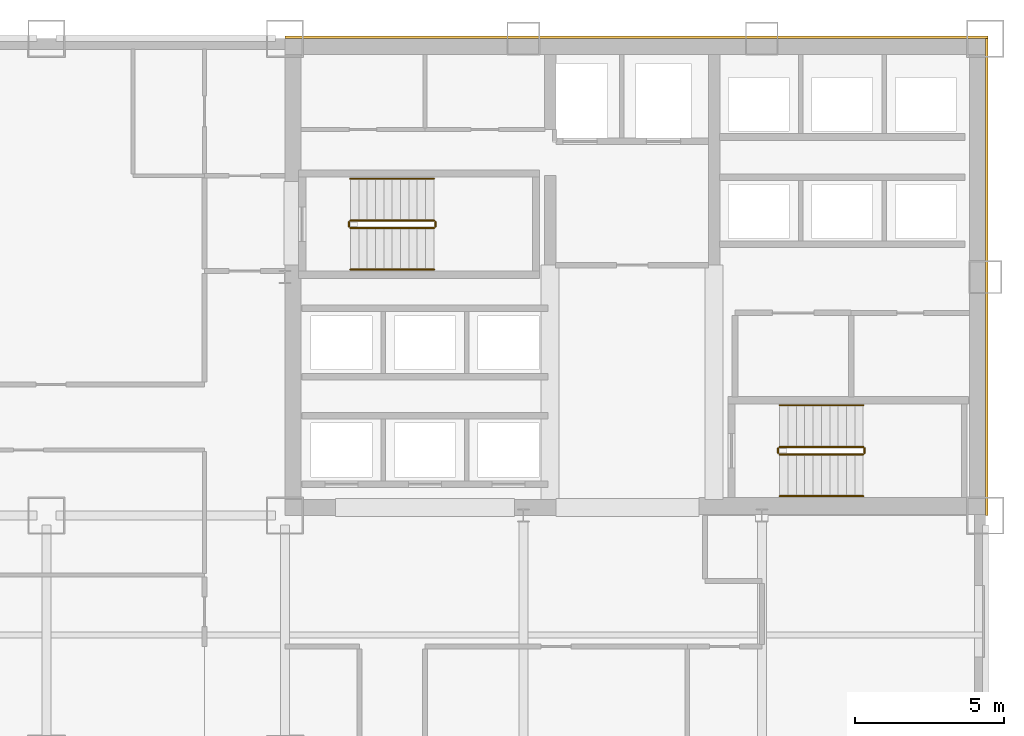
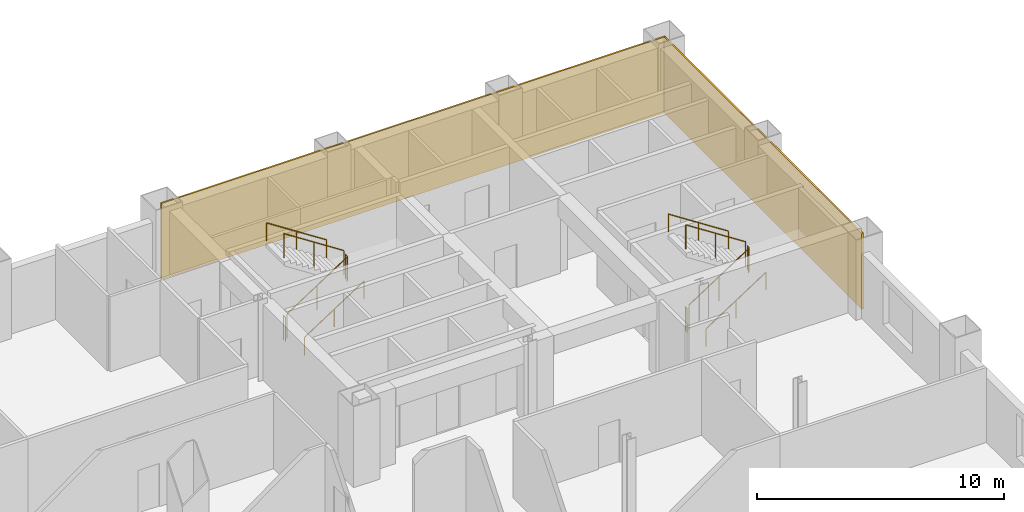
# One storey, part 9 of 9: 12 railings, 2 coverings.
"""IFC4 building model written with IfcOpenShell, lengths in metres."""

from ifc_helpers import new_model, si_unit, direction, frame, origin, origin_2d, place, context, subcontext, project, spatial, rectangle, circle, extrude, material, layer, layer_set, type_object, element, save


model = new_model("IFC4")

# Units and contexts
model_context = context("Model", 3, precision=1e-05, world=origin(), true_north=direction((0.0, 1.0)))
body_context = subcontext(model_context, "Body", "Model", "MODEL_VIEW")
ifc_project = project(units=[si_unit("LENGTHUNIT", "METRE"), si_unit("AREAUNIT", "SQUARE_METRE"), si_unit("VOLUMEUNIT", "CUBIC_METRE"), si_unit("PLANEANGLEUNIT", "RADIAN"), si_unit("MASSUNIT", "GRAM", prefix="KILO")], contexts=[model_context])

# Site, building, storey
site_placement = place(None, origin())
site = spatial("IfcSite", under=ifc_project, at=site_placement, CompositionType="ELEMENT")
building_placement = place(site_placement, origin())
building = spatial("IfcBuilding", under=site, at=building_placement, Name="Qianrong Seaharbour Tower", CompositionType="ELEMENT")
storey_placement = place(building_placement, frame((0.0, 0.0, 84.199951171875)))
storey = spatial("IfcBuildingStorey", under=building, at=storey_placement, Name="L20", CompositionType="ELEMENT", Elevation=84.199951171875)

# Coverings
ifc_material_1 = material(Name="Unitised red brick cladding on Precast concrete C45/55", Category="masonry")
ifc_layer = layer(ifc_material_1, 0.080078125)
ifc_layer_set = layer_set([ifc_layer], Name="Unitised red brick cladding on Precast concrete C45/55")
covering_type = type_object("IfcCoveringType", Name="COV-CLAD-RED-BRICK-80", PredefinedType="CLADDING", material=ifc_layer_set)
covering_1_placement = place(storey_placement, frame((52.2900390625, 52.0400390625, 0.0), z_axis=(0.0, 0.0, 1.0), x_axis=(1.0, 0.0, 0.0)))
element("IfcCovering", 1, at=covering_1_placement, inside=storey, type_object=covering_type, Name="L20 North Core Brick Veneer Cladding", PredefinedType="CLADDING", context=body_context, shape_type="SweptSolid", body=[
    extrude(rectangle(XDim=23.580078125, YDim=0.080078125, at=origin_2d()), origin(), (0.0, 0.0, 1.0), 3.75),
])
covering_2_placement = place(storey_placement, frame((64.0400390625, 44.0, 0.0), z_axis=(0.0, 0.0, 1.0), x_axis=(1.0, 0.0, 0.0)))
element("IfcCovering", 2, at=covering_2_placement, inside=storey, type_object=covering_type, Name="L20 East Core Brick Veneer Cladding", PredefinedType="CLADDING", context=body_context, shape_type="SweptSolid", body=[
    extrude(rectangle(XDim=0.080078125, YDim=16.0, at=origin_2d()), origin(), (0.0, 0.0, 1.0), 3.75),
])

# Railings
ifc_material_2 = material(Name="Galvanized painted steel SN400B stair guard", Category="steel")
railing_type_1 = type_object("IfcRailingType", Name="RAIL-STAIR-GUARD-1220", PredefinedType="GUARDRAIL", material=ifc_material_2)
railing_1_placement = place(storey_placement, frame((42.699951171875, 45.64990234375, 0.181884765625)))
element("IfcRailing", 3, at=railing_1_placement, inside=storey, type_object=railing_type_1, Name="L20 ST-1 stair guard 1", PredefinedType="GUARDRAIL", context=body_context, shape_type="SweptSolid", body=[
    extrude(circle(Radius=0.02392578125, at=origin_2d()), frame((0.0, 0.0, 1.19580078125), z_axis=(0.838705829183, 0.0, 0.544584733623), x_axis=(0.0, 1.0, 0.0)), (0.0, 0.0, 1.0), 3.338623046875),
    extrude(circle(Radius=0.02099609375, at=origin_2d()), origin(), (0.0, 0.0, 1.0), 1.171875),
    extrude(circle(Radius=0.02099609375, at=origin_2d()), frame((1.39990234375, 0.0, 0.9091796875)), (0.0, 0.0, 1.0), 1.171875),
    extrude(circle(Radius=0.02099609375, at=origin_2d()), frame((2.800048828125, 0.0, 1.818115234375)), (0.0, 0.0, 1.0), 1.171875),
])
railing_2_placement = place(storey_placement, frame((45.550048828125, 45.699951171875, 2.0)))
element("IfcRailing", 4, at=railing_2_placement, inside=storey, type_object=railing_type_1, Name="L20 ST-1 stair guard 2", PredefinedType="GUARDRAIL", context=body_context, shape_type="SweptSolid", body=[
    extrude(circle(Radius=0.02392578125, at=origin_2d()), frame((0.0, 0.0, 1.19580078125), z_axis=(0.0, 1.0, 0.0), x_axis=(-1.0, 0.0, 0.0)), (0.0, 0.0, 1.0), 0.150146484375),
    extrude(circle(Radius=0.02099609375, at=origin_2d()), origin(), (0.0, 0.0, 1.0), 1.171875),
    extrude(circle(Radius=0.02099609375, at=origin_2d()), frame((0.0, 0.150146484375, 0.0)), (0.0, 0.0, 1.0), 1.171875),
])
railing_3_placement = place(storey_placement, frame((45.5, 45.89990234375, 2.181884765625)))
element("IfcRailing", 5, at=railing_3_placement, inside=storey, type_object=railing_type_1, Name="L20 ST-1 stair guard 3", PredefinedType="GUARDRAIL", context=body_context, shape_type="SweptSolid", body=[
    extrude(circle(Radius=0.02392578125, at=origin_2d()), frame((0.0, 0.0, 1.19580078125), z_axis=(-0.838705829183, 0.0, 0.544584733623), x_axis=(0.0, -1.0, 0.0)), (0.0, 0.0, 1.0), 3.338623046875),
    extrude(circle(Radius=0.02099609375, at=origin_2d()), origin(), (0.0, 0.0, 1.0), 1.171875),
    extrude(circle(Radius=0.02099609375, at=origin_2d()), frame((-1.39990234375, 0.0, 0.9091796875)), (0.0, 0.0, 1.0), 1.171875),
    extrude(circle(Radius=0.02099609375, at=origin_2d()), frame((-2.800048828125, 0.0, 1.818115234375)), (0.0, 0.0, 1.0), 1.171875),
])
railing_4_placement = place(storey_placement, frame((42.64990234375, 45.699951171875, 0.0)))
element("IfcRailing", 6, at=railing_4_placement, inside=storey, type_object=railing_type_1, Name="L20 ST-1 stair guard 4", PredefinedType="GUARDRAIL", context=body_context, shape_type="SweptSolid", body=[
    extrude(circle(Radius=0.02392578125, at=origin_2d()), frame((0.0, 0.0, 1.19580078125), z_axis=(0.0, 1.0, 0.0), x_axis=(-1.0, 0.0, 0.0)), (0.0, 0.0, 1.0), 0.150146484375),
    extrude(circle(Radius=0.02099609375, at=origin_2d()), origin(), (0.0, 0.0, 1.0), 1.171875),
    extrude(circle(Radius=0.02099609375, at=origin_2d()), frame((0.0, 0.150146484375, 0.0)), (0.0, 0.0, 1.0), 1.171875),
])
railing_5_placement = place(storey_placement, frame((57.10009765625, 38.050048828125, 0.181884765625)))
element("IfcRailing", 7, at=railing_5_placement, inside=storey, type_object=railing_type_1, Name="L20 ST-2 stair guard 1", PredefinedType="GUARDRAIL", context=body_context, shape_type="SweptSolid", body=[
    extrude(circle(Radius=0.02392578125, at=origin_2d()), frame((0.0, 0.0, 1.19580078125), z_axis=(0.83868413941, 0.0, 0.544618136222), x_axis=(0.0, 1.0, 0.0)), (0.0, 0.0, 1.0), 3.33837890625),
    extrude(circle(Radius=0.02099609375, at=origin_2d()), origin(), (0.0, 0.0, 1.0), 1.171875),
    extrude(circle(Radius=0.02099609375, at=origin_2d()), frame((1.39990234375, 0.0, 0.9091796875)), (0.0, 0.0, 1.0), 1.171875),
    extrude(circle(Radius=0.02099609375, at=origin_2d()), frame((2.7998046875, 0.0, 1.818115234375)), (0.0, 0.0, 1.0), 1.171875),
])
railing_6_placement = place(storey_placement, frame((59.949951171875, 38.10009765625, 2.0)))
element("IfcRailing", 8, at=railing_6_placement, inside=storey, type_object=railing_type_1, Name="L20 ST-2 stair guard 2", PredefinedType="GUARDRAIL", context=body_context, shape_type="SweptSolid", body=[
    extrude(circle(Radius=0.02392578125, at=origin_2d()), frame((0.0, 0.0, 1.19580078125), z_axis=(0.0, 1.0, 0.0), x_axis=(-1.0, 0.0, 0.0)), (0.0, 0.0, 1.0), 0.14990234375),
    extrude(circle(Radius=0.02099609375, at=origin_2d()), origin(), (0.0, 0.0, 1.0), 1.171875),
    extrude(circle(Radius=0.02099609375, at=origin_2d()), frame((0.0, 0.14990234375, 0.0)), (0.0, 0.0, 1.0), 1.171875),
])
railing_7_placement = place(storey_placement, frame((59.89990234375, 38.300048828125, 2.181884765625)))
element("IfcRailing", 9, at=railing_7_placement, inside=storey, type_object=railing_type_1, Name="L20 ST-2 stair guard 3", PredefinedType="GUARDRAIL", context=body_context, shape_type="SweptSolid", body=[
    extrude(circle(Radius=0.02392578125, at=origin_2d()), frame((0.0, 0.0, 1.19580078125), z_axis=(-0.83868413941, 0.0, 0.544618136222), x_axis=(0.0, -1.0, 0.0)), (0.0, 0.0, 1.0), 3.33837890625),
    extrude(circle(Radius=0.02099609375, at=origin_2d()), origin(), (0.0, 0.0, 1.0), 1.171875),
    extrude(circle(Radius=0.02099609375, at=origin_2d()), frame((-1.39990234375, 0.0, 0.9091796875)), (0.0, 0.0, 1.0), 1.171875),
    extrude(circle(Radius=0.02099609375, at=origin_2d()), frame((-2.7998046875, 0.0, 1.818115234375)), (0.0, 0.0, 1.0), 1.171875),
])
railing_8_placement = place(storey_placement, frame((57.050048828125, 38.10009765625, 0.0)))
element("IfcRailing", 10, at=railing_8_placement, inside=storey, type_object=railing_type_1, Name="L20 ST-2 stair guard 4", PredefinedType="GUARDRAIL", context=body_context, shape_type="SweptSolid", body=[
    extrude(circle(Radius=0.02392578125, at=origin_2d()), frame((0.0, 0.0, 1.19580078125), z_axis=(0.0, 1.0, 0.0), x_axis=(-1.0, 0.0, 0.0)), (0.0, 0.0, 1.0), 0.14990234375),
    extrude(circle(Radius=0.02099609375, at=origin_2d()), origin(), (0.0, 0.0, 1.0), 1.171875),
    extrude(circle(Radius=0.02099609375, at=origin_2d()), frame((0.0, 0.14990234375, 0.0)), (0.0, 0.0, 1.0), 1.171875),
])
ifc_material_3 = material(Name="Stainless steel SUS316L continuous handrail", Category="steel")
railing_type_2 = type_object("IfcRailingType", Name="RAIL-STAIR-HANDRAIL-900", PredefinedType="HANDRAIL", material=ifc_material_3)
railing_9_placement = place(storey_placement, frame((42.699951171875, 44.25, 0.181884765625)))
element("IfcRailing", 11, at=railing_9_placement, inside=storey, type_object=railing_type_2, Name="L20 ST-1 stair handrail 1", PredefinedType="HANDRAIL", context=body_context, shape_type="SweptSolid", body=[
    extrude(circle(Radius=0.02392578125, at=origin_2d()), frame((0.0, 0.0, 0.8759765625), z_axis=(0.838705829183, 0.0, 0.544584733623), x_axis=(0.0, 1.0, 0.0)), (0.0, 0.0, 1.0), 3.338623046875),
    extrude(circle(Radius=0.02099609375, at=origin_2d()), origin(), (0.0, 0.0, 1.0), 0.851806640625),
    extrude(circle(Radius=0.02099609375, at=origin_2d()), frame((1.39990234375, 0.0, 0.9091796875)), (0.0, 0.0, 1.0), 0.851806640625),
    extrude(circle(Radius=0.02099609375, at=origin_2d()), frame((2.800048828125, 0.0, 1.818115234375)), (0.0, 0.0, 1.0), 0.851806640625),
])
railing_10_placement = place(storey_placement, frame((45.5, 47.300048828125, 2.181884765625)))
element("IfcRailing", 12, at=railing_10_placement, inside=storey, type_object=railing_type_2, Name="L20 ST-1 stair handrail 2", PredefinedType="HANDRAIL", context=body_context, shape_type="SweptSolid", body=[
    extrude(circle(Radius=0.02392578125, at=origin_2d()), frame((0.0, 0.0, 0.8759765625), z_axis=(-0.838705829183, 0.0, 0.544584733623), x_axis=(0.0, -1.0, 0.0)), (0.0, 0.0, 1.0), 3.338623046875),
    extrude(circle(Radius=0.02099609375, at=origin_2d()), origin(), (0.0, 0.0, 1.0), 0.851806640625),
    extrude(circle(Radius=0.02099609375, at=origin_2d()), frame((-1.39990234375, 0.0, 0.9091796875)), (0.0, 0.0, 1.0), 0.851806640625),
    extrude(circle(Radius=0.02099609375, at=origin_2d()), frame((-2.800048828125, 0.0, 1.818115234375)), (0.0, 0.0, 1.0), 0.851806640625),
])
railing_11_placement = place(storey_placement, frame((57.10009765625, 36.64990234375, 0.181884765625)))
element("IfcRailing", 13, at=railing_11_placement, inside=storey, type_object=railing_type_2, Name="L20 ST-2 stair handrail 1", PredefinedType="HANDRAIL", context=body_context, shape_type="SweptSolid", body=[
    extrude(circle(Radius=0.02392578125, at=origin_2d()), frame((0.0, 0.0, 0.8759765625), z_axis=(0.83868413941, 0.0, 0.544618136222), x_axis=(0.0, 1.0, 0.0)), (0.0, 0.0, 1.0), 3.33837890625),
    extrude(circle(Radius=0.02099609375, at=origin_2d()), origin(), (0.0, 0.0, 1.0), 0.851806640625),
    extrude(circle(Radius=0.02099609375, at=origin_2d()), frame((1.39990234375, 0.0, 0.9091796875)), (0.0, 0.0, 1.0), 0.851806640625),
    extrude(circle(Radius=0.02099609375, at=origin_2d()), frame((2.7998046875, 0.0, 1.818115234375)), (0.0, 0.0, 1.0), 0.851806640625),
])
railing_12_placement = place(storey_placement, frame((59.89990234375, 39.699951171875, 2.181884765625)))
element("IfcRailing", 14, at=railing_12_placement, inside=storey, type_object=railing_type_2, Name="L20 ST-2 stair handrail 2", PredefinedType="HANDRAIL", context=body_context, shape_type="SweptSolid", body=[
    extrude(circle(Radius=0.02392578125, at=origin_2d()), frame((0.0, 0.0, 0.8759765625), z_axis=(-0.83868413941, 0.0, 0.544618136222), x_axis=(0.0, -1.0, 0.0)), (0.0, 0.0, 1.0), 3.33837890625),
    extrude(circle(Radius=0.02099609375, at=origin_2d()), origin(), (0.0, 0.0, 1.0), 0.851806640625),
    extrude(circle(Radius=0.02099609375, at=origin_2d()), frame((-1.39990234375, 0.0, 0.9091796875)), (0.0, 0.0, 1.0), 0.851806640625),
    extrude(circle(Radius=0.02099609375, at=origin_2d()), frame((-2.7998046875, 0.0, 1.818115234375)), (0.0, 0.0, 1.0), 0.851806640625),
])

save(model, "model.ifc")
